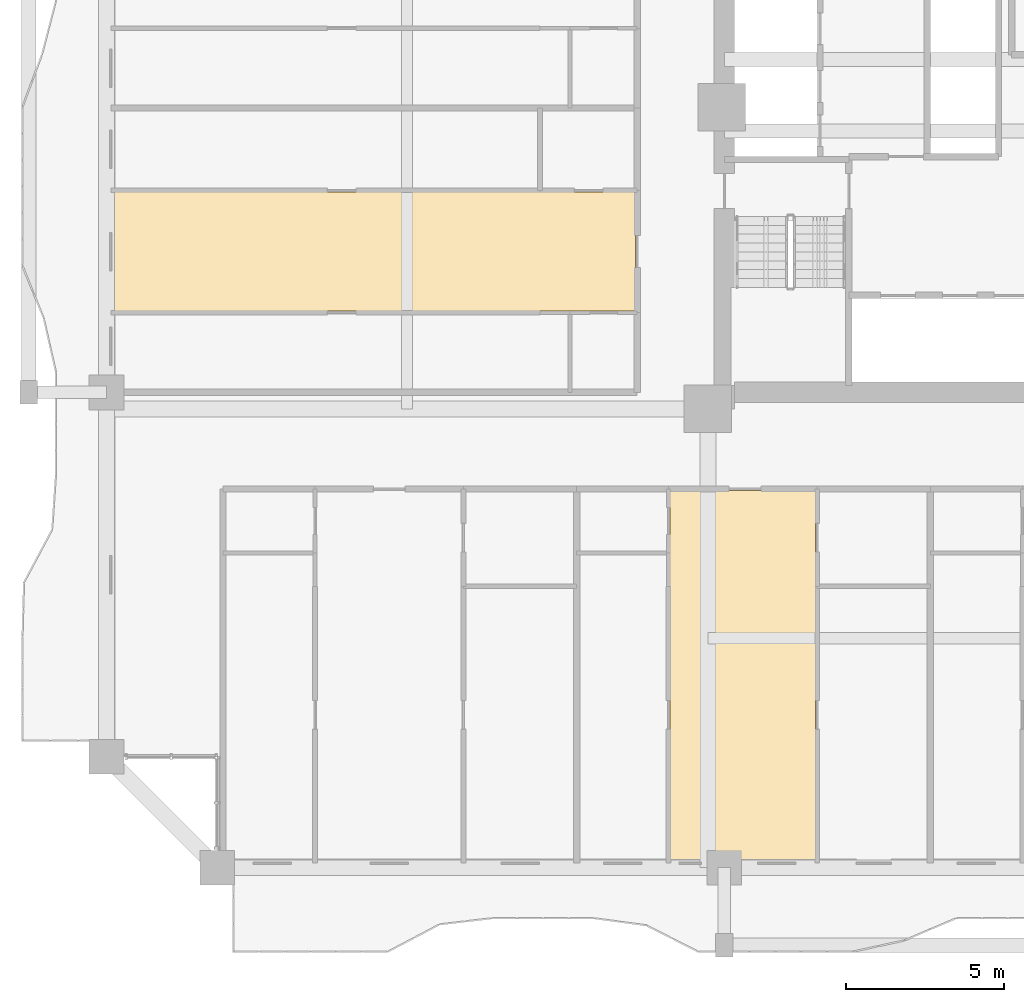
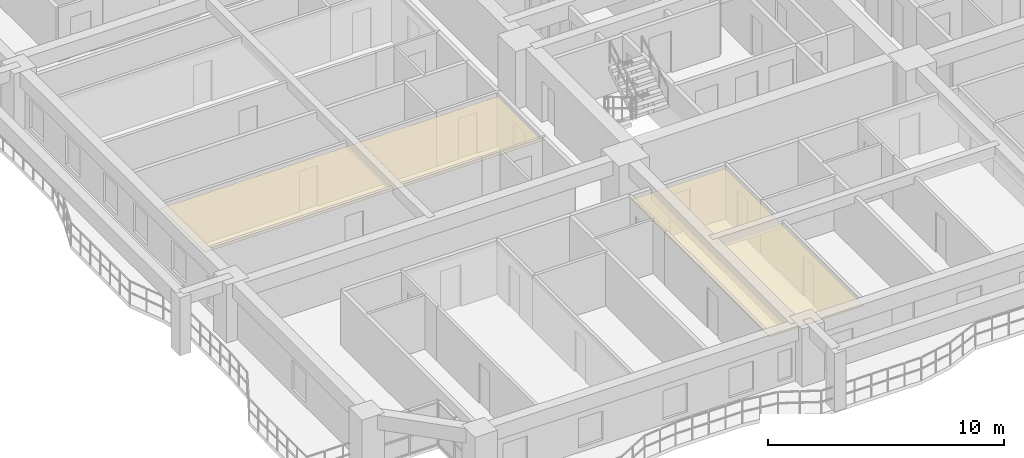
# One storey, part 23 of 27: 2 coverings.
"""IFC4 building model written with IfcOpenShell, lengths in metres."""

from ifc_helpers import new_model, si_unit, direction, frame, origin, place, context, subcontext, project, spatial, polyline, outline, extrude, material, layer, layer_set, type_object, element, save


model = new_model("IFC4")

# Units and contexts
model_context = context("Model", 3, precision=1e-05, world=origin(), true_north=direction((0.0, 1.0)))
body_context = subcontext(model_context, "Body", "Model", "MODEL_VIEW")
ifc_project = project(units=[si_unit("LENGTHUNIT", "METRE"), si_unit("AREAUNIT", "SQUARE_METRE"), si_unit("VOLUMEUNIT", "CUBIC_METRE"), si_unit("PLANEANGLEUNIT", "RADIAN"), si_unit("MASSUNIT", "GRAM", prefix="KILO")], contexts=[model_context])

# Site, building, storey
site_placement = place(None, origin())
site = spatial("IfcSite", under=ifc_project, at=site_placement, CompositionType="ELEMENT")
building_placement = place(site_placement, origin())
building = spatial("IfcBuilding", under=site, at=building_placement, Name="Saelheon Loggia Tower", CompositionType="ELEMENT")
storey_placement = place(building_placement, frame((0.0, 0.0, 43.39990234375)))
storey = spatial("IfcBuildingStorey", under=building, at=storey_placement, Name="L13", CompositionType="ELEMENT", Elevation=43.39990234375)

# Coverings
ifc_material = material(Name="Mineral-Fibre Acoustic Ceiling Board", Category="gypsum")
ifc_layer = layer(ifc_material, 0.02490234375)
ifc_layer_set = layer_set([ifc_layer], Name="Mineral-Fibre Acoustic Ceiling Board")
covering_type = type_object("IfcCoveringType", Name="Cov_Ceiling_Acoustic", PredefinedType="CEILING", material=ifc_layer_set)
covering_1_placement = place(storey_placement, frame((0.0, 0.0, 2.53515625)))
element("IfcCovering", 1, at=covering_1_placement, inside=storey, type_object=covering_type, Name="L13 Acoustic Suspended Ceiling", PredefinedType="CEILING", context=body_context, shape_type="SweptSolid", body=[
    extrude(outline(polyline([(29.79150390625, 3.199951171875), (34.37890625, 3.199951171875), (34.37890625, 14.89990234375), (29.79150390625, 14.89990234375), (29.79150390625, 3.199951171875)])), origin(), (0.0, 0.0, 1.0), 0.02490234375),
])
covering_2_placement = place(storey_placement, frame((0.0, 0.0, 2.53515625)))
element("IfcCovering", 2, at=covering_2_placement, inside=storey, type_object=covering_type, Name="L13 Acoustic Suspended Ceiling", PredefinedType="CEILING", context=body_context, shape_type="SweptSolid", body=[
    extrude(outline(polyline([(12.199951171875, 20.56298828125), (28.699951171875, 20.56298828125), (28.699951171875, 24.324951171875), (12.199951171875, 24.324951171875), (12.199951171875, 20.56298828125)])), origin(), (0.0, 0.0, 1.0), 0.02490234375),
])

save(model, "model.ifc")
